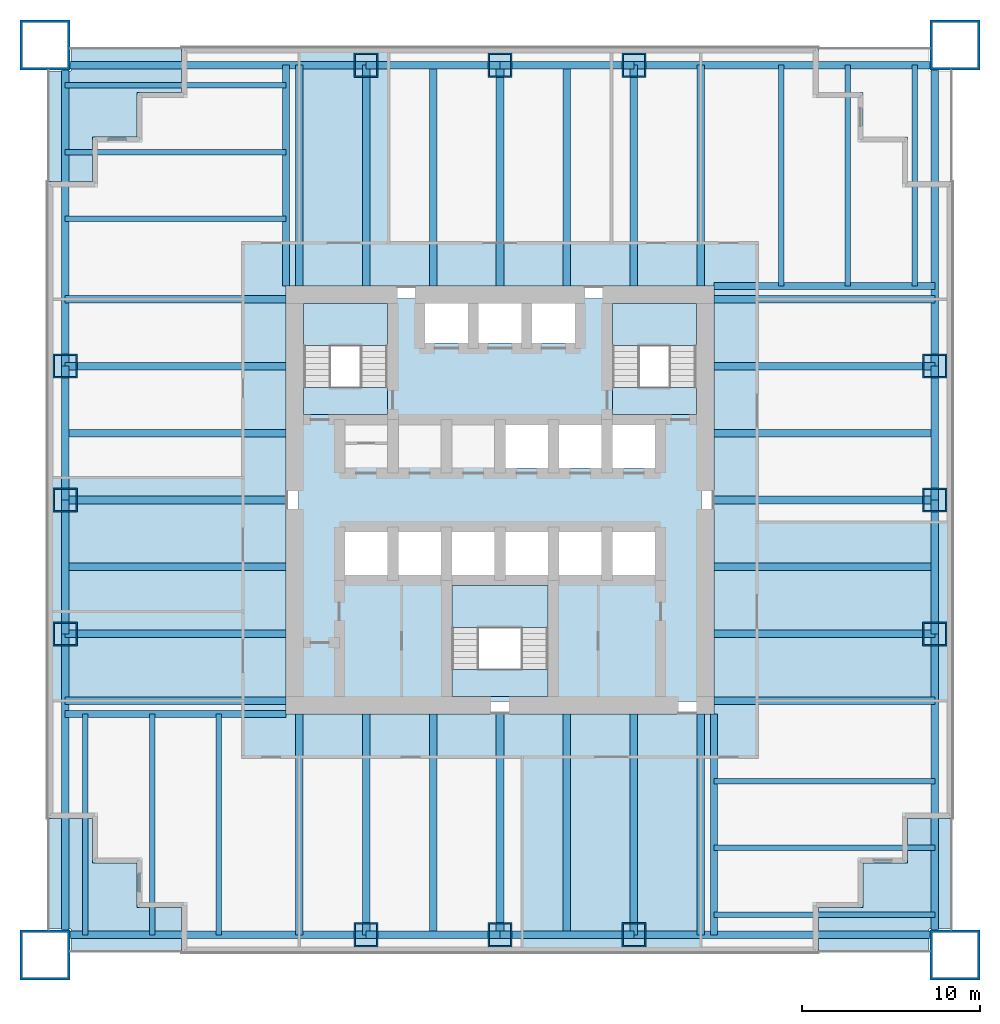
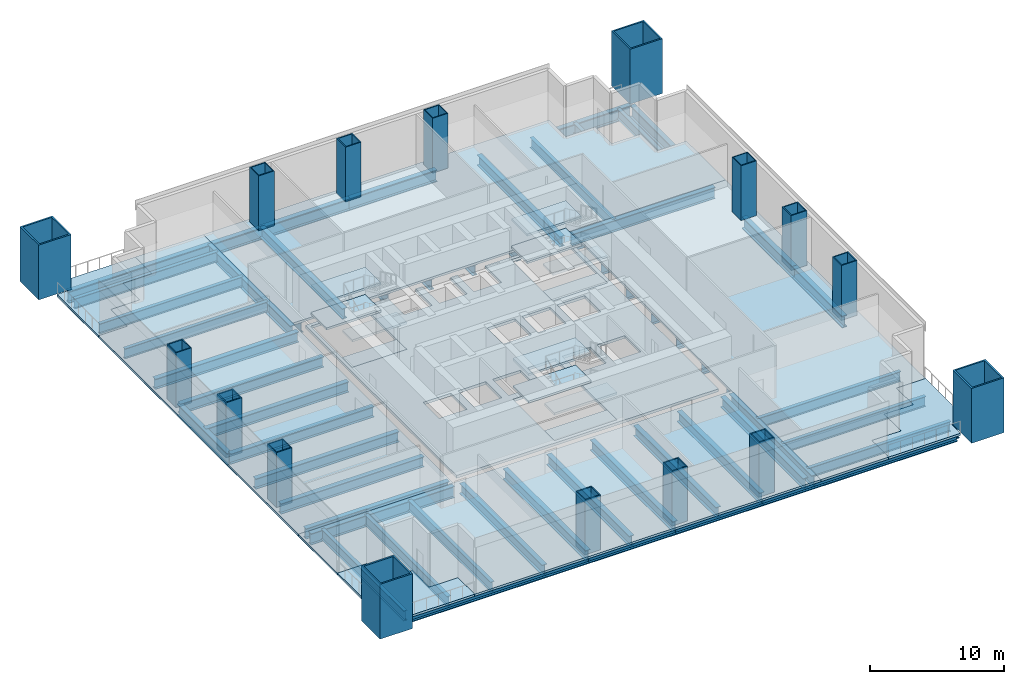
# One storey, part 1 of 6: 60 beams, 20 slabs, 16 columns, 3 elements without a shape of their own.
"""IFC4 building model written with IfcOpenShell, lengths in metres."""

from ifc_helpers import new_model, si_unit, direction, frame, origin, origin_2d, place, context, subcontext, project, spatial, polyline, hollow_rectangle, i_section, outline, extrude, material, layer, layer_set, material_profile, profile_set, type_object, element, aggregate, save


model = new_model("IFC4")

# Units and contexts
model_context = context("Model", 3, precision=1e-05, world=origin(), true_north=direction((0.0, 1.0)))
body_context = subcontext(model_context, "Body", "Model", "MODEL_VIEW")
ifc_project = project(units=[si_unit("LENGTHUNIT", "METRE"), si_unit("AREAUNIT", "SQUARE_METRE"), si_unit("VOLUMEUNIT", "CUBIC_METRE"), si_unit("PLANEANGLEUNIT", "RADIAN"), si_unit("MASSUNIT", "GRAM", prefix="KILO")], contexts=[model_context])

# Site, building, storey
site_placement = place(None, origin())
site = spatial("IfcSite", under=ifc_project, at=site_placement, CompositionType="ELEMENT")
building_placement = place(site_placement, origin())
building = spatial("IfcBuilding", under=site, at=building_placement, Name="Tarangal Relay Tower", CompositionType="ELEMENT")
storey_placement = place(building_placement, frame((0.0, 0.0, 68.39990234375)))
storey = spatial("IfcBuildingStorey", under=building, at=storey_placement, Name="L13", CompositionType="ELEMENT", Elevation=68.39990234375)

# Columns
ifc_material_1 = material(Name="Steel ASTM A572 Grade 42", Category="steel")
ifc_material_profile_1 = material_profile(ifc_material_1, hollow_rectangle(XDim=2.800048828125, YDim=2.800048828125, WallThickness=0.139892578125, at=origin_2d()), Name="BOX2800X2800X140")
ifc_profile_set_1 = profile_set([ifc_material_profile_1], Name="Steel ASTM A572 Grade 42")
column_type_1 = type_object("IfcColumnType", Name="Mega column BOX2800X2800X140", PredefinedType="COLUMN", material=ifc_profile_set_1)
for number, where, z_axis, x_axis, name in (
    (1, (25.5, 25.5, 0.0), (0.0, 0.0, 1.0), (1.0, 0.0, 0.0), "Mega column MC1 NE L13"),
    (2, (25.5, -25.5, 0.0), (0.0, 0.0, 1.0), (1.0, 0.0, 0.0), "Mega column MC1 SE L13"),
    (3, (-25.5, -25.5, 0.0), (0.0, 0.0, 1.0), (1.0, 0.0, 0.0), "Mega column MC1 SW L13"),
    (4, (-25.5, 25.5, 0.0), (0.0, 0.0, 1.0), (1.0, 0.0, 0.0), "Mega column MC1 NW L13"),
):
    element("IfcColumn", number, at=place(storey_placement, frame(where, z_axis=z_axis, x_axis=x_axis)), inside=storey, type_object=column_type_1, Name=name, PredefinedType="COLUMN", context=body_context, shape_type="SweptSolid", body=[
        extrude(hollow_rectangle(XDim=2.800048828125, YDim=2.800048828125, WallThickness=0.139892578125, at=origin_2d()), origin(), (0.0, 0.0, 1.0), 5.0),
    ])
ifc_material_2 = material(Name="Steel ASTM A572 Grade 50", Category="steel")
ifc_material_profile_2 = material_profile(ifc_material_2, hollow_rectangle(XDim=1.35009765625, YDim=1.35009765625, WallThickness=0.0849609375, at=origin_2d()), Name="BOX1350X1350X85")
ifc_profile_set_2 = profile_set([ifc_material_profile_2], Name="Steel ASTM A572 Grade 50")
column_type_2 = type_object("IfcColumnType", Name="Perimeter column BOX1350X1350X85", PredefinedType="COLUMN", material=ifc_profile_set_2)
for number, where, z_axis, x_axis, name in (
    (5, (-7.5, 24.364990234375, 0.0), (0.0, 0.0, 1.0), (1.0, 0.0, 0.0), "Perimeter column PC2 N L13"),
    (6, (0.0, 24.364990234375, 0.0), (0.0, 0.0, 1.0), (1.0, 0.0, 0.0), "Perimeter column PC2 N L13"),
    (7, (7.5, 24.364990234375, 0.0), (0.0, 0.0, 1.0), (1.0, 0.0, 0.0), "Perimeter column PC2 N L13"),
    (8, (24.364990234375, 7.5, 0.0), (0.0, 0.0, 1.0), (1.0, 0.0, 0.0), "Perimeter column PC2 E L13"),
    (9, (24.364990234375, 0.0, 0.0), (0.0, 0.0, 1.0), (1.0, 0.0, 0.0), "Perimeter column PC2 E L13"),
    (10, (24.364990234375, -7.5, 0.0), (0.0, 0.0, 1.0), (1.0, 0.0, 0.0), "Perimeter column PC2 E L13"),
    (11, (7.5, -24.364990234375, 0.0), (0.0, 0.0, 1.0), (1.0, 0.0, 0.0), "Perimeter column PC2 S L13"),
    (12, (0.0, -24.364990234375, 0.0), (0.0, 0.0, 1.0), (1.0, 0.0, 0.0), "Perimeter column PC2 S L13"),
    (13, (-7.5, -24.364990234375, 0.0), (0.0, 0.0, 1.0), (1.0, 0.0, 0.0), "Perimeter column PC2 S L13"),
    (14, (-24.364990234375, -7.5, 0.0), (0.0, 0.0, 1.0), (1.0, 0.0, 0.0), "Perimeter column PC2 W L13"),
    (15, (-24.364990234375, 0.0, 0.0), (0.0, 0.0, 1.0), (1.0, 0.0, 0.0), "Perimeter column PC2 W L13"),
    (16, (-24.364990234375, 7.5, 0.0), (0.0, 0.0, 1.0), (1.0, 0.0, 0.0), "Perimeter column PC2 W L13"),
):
    element("IfcColumn", number, at=place(storey_placement, frame(where, z_axis=z_axis, x_axis=x_axis)), inside=storey, type_object=column_type_2, Name=name, PredefinedType="COLUMN", context=body_context, shape_type="SweptSolid", body=[
        extrude(hollow_rectangle(XDim=1.35009765625, YDim=1.35009765625, WallThickness=0.0849609375, at=origin_2d()), origin(), (0.0, 0.0, 1.0), 5.0),
    ])

# Beams
ifc_material_3 = material(Name="Steel ASTM A992", Category="steel")
ifc_material_profile_3 = material_profile(ifc_material_3, i_section(OverallWidth=0.307373046875, OverallDepth=0.927001953125, WebThickness=0.019287109375, FlangeThickness=0.031982421875, at=origin_2d()), Name="W36X194")
ifc_profile_set_3 = profile_set([ifc_material_profile_3], Name="Steel ASTM A992")
beam_type_1 = type_object("IfcBeamType", Name="Corner beam W36X194", PredefinedType="JOIST", material=ifc_profile_set_3)
for number, where, z_axis, x_axis, name in (
    (17, (15.75, 12.0, -0.663330078125), (0.0, 1.0, 0.0), (-1.0, 0.0, 0.0), "Corner beam CB10 N L13"),
    (18, (19.5, 12.0, -0.663330078125), (0.0, 1.0, 0.0), (-1.0, 0.0, 0.0), "Corner beam CB10 N L13"),
    (19, (23.25, 12.0, -0.663330078125), (0.0, 1.0, 0.0), (-1.0, 0.0, 0.0), "Corner beam CB10 N L13"),
    (20, (12.0, -15.75, -0.663330078125), (1.0, 0.0, 0.0), (0.0, 1.0, 0.0), "Corner beam CB10 E L13"),
    (21, (12.0, -19.5, -0.663330078125), (1.0, 0.0, 0.0), (0.0, 1.0, 0.0), "Corner beam CB10 E L13"),
    (22, (12.0, -23.25, -0.663330078125), (1.0, 0.0, 0.0), (0.0, 1.0, 0.0), "Corner beam CB10 E L13"),
    (23, (-15.75, -12.0, -0.663330078125), (0.0, -1.0, 0.0), (1.0, 0.0, 0.0), "Corner beam CB10 S L13"),
    (24, (-19.5, -12.0, -0.663330078125), (0.0, -1.0, 0.0), (1.0, 0.0, 0.0), "Corner beam CB10 S L13"),
    (25, (-23.25, -12.0, -0.663330078125), (0.0, -1.0, 0.0), (1.0, 0.0, 0.0), "Corner beam CB10 S L13"),
    (26, (-12.0, 15.75, -0.663330078125), (-1.0, 0.0, 0.0), (0.0, -1.0, 0.0), "Corner beam CB10 W L13"),
    (27, (-12.0, 19.5, -0.663330078125), (-1.0, 0.0, 0.0), (0.0, -1.0, 0.0), "Corner beam CB10 W L13"),
    (28, (-12.0, 23.25, -0.663330078125), (-1.0, 0.0, 0.0), (0.0, -1.0, 0.0), "Corner beam CB10 W L13"),
):
    element("IfcBeam", number, at=place(storey_placement, frame(where, z_axis=z_axis, x_axis=x_axis)), inside=storey, type_object=beam_type_1, Name=name, PredefinedType="JOIST", context=body_context, shape_type="SweptSolid", body=[
        extrude(i_section(OverallWidth=0.307373046875, OverallDepth=0.927001953125, WebThickness=0.019287109375, FlangeThickness=0.031982421875, at=origin_2d()), origin(), (0.0, 0.0, 1.0), 12.364990234375),
    ])
ifc_material_profile_4 = material_profile(ifc_material_3, i_section(OverallWidth=0.40380859375, OverallDepth=1.036376953125, WebThickness=0.031005859375, FlangeThickness=0.0458984375, at=origin_2d()), Name="W40X331")
ifc_profile_set_4 = profile_set([ifc_material_profile_4], Name="Steel ASTM A992")
beam_type_2 = type_object("IfcBeamType", Name="Corner girder W40X331", PredefinedType="BEAM", material=ifc_profile_set_4)
for number, where, z_axis, x_axis, name in (
    (29, (12.0, 12.0, -0.718017578125), (1.0, 0.0, 0.0), (0.0, 1.0, 0.0), "Corner girder CG2 N L13"),
    (30, (12.0, -12.0, -0.718017578125), (0.0, -1.0, 0.0), (1.0, 0.0, 0.0), "Corner girder CG2 E L13"),
    (31, (-12.0, -12.0, -0.718017578125), (-1.0, 0.0, 0.0), (0.0, -1.0, 0.0), "Corner girder CG2 S L13"),
    (32, (-12.0, 12.0, -0.718017578125), (0.0, 1.0, 0.0), (-1.0, 0.0, 0.0), "Corner girder CG2 W L13"),
):
    element("IfcBeam", number, at=place(storey_placement, frame(where, z_axis=z_axis, x_axis=x_axis)), inside=storey, type_object=beam_type_2, Name=name, PredefinedType="BEAM", context=body_context, shape_type="SweptSolid", body=[
        extrude(i_section(OverallWidth=0.40380859375, OverallDepth=1.036376953125, WebThickness=0.031005859375, FlangeThickness=0.0458984375, at=origin_2d()), origin(), (0.0, 0.0, 1.0), 12.364990234375),
    ])
ifc_material_profile_5 = material_profile(ifc_material_3, i_section(OverallWidth=0.42431640625, OverallDepth=1.09228515625, WebThickness=0.04541015625, FlangeThickness=0.08203125, at=origin_2d()), Name="W40X593")
ifc_profile_set_5 = profile_set([ifc_material_profile_5], Name="Steel ASTM A992")
beam_type_3 = type_object("IfcBeamType", Name="Edge girder W40X593", PredefinedType="SPANDREL", material=ifc_profile_set_5)
beam_1_placement = place(storey_placement, frame((-24.25, 24.364990234375, -0.74609375), z_axis=(1.0, 0.0, 0.0), x_axis=(0.0, 1.0, 0.0)))
element("IfcBeam", 33, at=beam_1_placement, inside=storey, type_object=beam_type_3, Name="Edge girder EG9 N L13", PredefinedType="SPANDREL", context=body_context, shape_type="SweptSolid", body=[
    extrude(i_section(OverallWidth=0.42431640625, OverallDepth=1.09228515625, WebThickness=0.04541015625, FlangeThickness=0.08203125, at=origin_2d()), origin(), (0.0, 0.0, 1.0), 16.75),
])
for number, where, z_axis, x_axis, name in (
    (34, (-7.5, 24.364990234375, -0.74609375), (1.0, 0.0, 0.0), (0.0, 1.0, 0.0), "Edge girder EG9 N L13"),
    (35, (0.0, 24.364990234375, -0.74609375), (1.0, 0.0, 0.0), (0.0, 1.0, 0.0), "Edge girder EG9 N L13"),
):
    element("IfcBeam", number, at=place(storey_placement, frame(where, z_axis=z_axis, x_axis=x_axis)), inside=storey, type_object=beam_type_3, Name=name, PredefinedType="SPANDREL", context=body_context, shape_type="SweptSolid", body=[
        extrude(i_section(OverallWidth=0.42431640625, OverallDepth=1.09228515625, WebThickness=0.04541015625, FlangeThickness=0.08203125, at=origin_2d()), origin(), (0.0, 0.0, 1.0), 7.5),
    ])
for number, where, z_axis, x_axis, name in (
    (36, (7.5, 24.364990234375, -0.74609375), (1.0, 0.0, 0.0), (0.0, 1.0, 0.0), "Edge girder EG9 N L13"),
    (37, (24.364990234375, 24.25, -0.74609375), (0.0, -1.0, 0.0), (1.0, 0.0, 0.0), "Edge girder EG9 E L13"),
):
    element("IfcBeam", number, at=place(storey_placement, frame(where, z_axis=z_axis, x_axis=x_axis)), inside=storey, type_object=beam_type_3, Name=name, PredefinedType="SPANDREL", context=body_context, shape_type="SweptSolid", body=[
        extrude(i_section(OverallWidth=0.42431640625, OverallDepth=1.09228515625, WebThickness=0.04541015625, FlangeThickness=0.08203125, at=origin_2d()), origin(), (0.0, 0.0, 1.0), 16.75),
    ])
for number, where, z_axis, x_axis, name in (
    (38, (24.364990234375, 7.5, -0.74609375), (0.0, -1.0, 0.0), (1.0, 0.0, 0.0), "Edge girder EG9 E L13"),
    (39, (24.364990234375, 0.0, -0.74609375), (0.0, -1.0, 0.0), (1.0, 0.0, 0.0), "Edge girder EG9 E L13"),
):
    element("IfcBeam", number, at=place(storey_placement, frame(where, z_axis=z_axis, x_axis=x_axis)), inside=storey, type_object=beam_type_3, Name=name, PredefinedType="SPANDREL", context=body_context, shape_type="SweptSolid", body=[
        extrude(i_section(OverallWidth=0.42431640625, OverallDepth=1.09228515625, WebThickness=0.04541015625, FlangeThickness=0.08203125, at=origin_2d()), origin(), (0.0, 0.0, 1.0), 7.5),
    ])
for number, where, z_axis, x_axis, name in (
    (40, (24.364990234375, -7.5, -0.74609375), (0.0, -1.0, 0.0), (1.0, 0.0, 0.0), "Edge girder EG9 E L13"),
    (41, (24.25, -24.364990234375, -0.74609375), (-1.0, 0.0, 0.0), (0.0, -1.0, 0.0), "Edge girder EG9 S L13"),
):
    element("IfcBeam", number, at=place(storey_placement, frame(where, z_axis=z_axis, x_axis=x_axis)), inside=storey, type_object=beam_type_3, Name=name, PredefinedType="SPANDREL", context=body_context, shape_type="SweptSolid", body=[
        extrude(i_section(OverallWidth=0.42431640625, OverallDepth=1.09228515625, WebThickness=0.04541015625, FlangeThickness=0.08203125, at=origin_2d()), origin(), (0.0, 0.0, 1.0), 16.75),
    ])
for number, where, z_axis, x_axis, name in (
    (42, (7.5, -24.364990234375, -0.74609375), (-1.0, 0.0, 0.0), (0.0, -1.0, 0.0), "Edge girder EG9 S L13"),
    (43, (0.0, -24.364990234375, -0.74609375), (-1.0, 0.0, 0.0), (0.0, -1.0, 0.0), "Edge girder EG9 S L13"),
):
    element("IfcBeam", number, at=place(storey_placement, frame(where, z_axis=z_axis, x_axis=x_axis)), inside=storey, type_object=beam_type_3, Name=name, PredefinedType="SPANDREL", context=body_context, shape_type="SweptSolid", body=[
        extrude(i_section(OverallWidth=0.42431640625, OverallDepth=1.09228515625, WebThickness=0.04541015625, FlangeThickness=0.08203125, at=origin_2d()), origin(), (0.0, 0.0, 1.0), 7.5),
    ])
for number, where, z_axis, x_axis, name in (
    (44, (-7.5, -24.364990234375, -0.74609375), (-1.0, 0.0, 0.0), (0.0, -1.0, 0.0), "Edge girder EG9 S L13"),
    (45, (-24.364990234375, -24.25, -0.74609375), (0.0, 1.0, 0.0), (-1.0, 0.0, 0.0), "Edge girder EG9 W L13"),
):
    element("IfcBeam", number, at=place(storey_placement, frame(where, z_axis=z_axis, x_axis=x_axis)), inside=storey, type_object=beam_type_3, Name=name, PredefinedType="SPANDREL", context=body_context, shape_type="SweptSolid", body=[
        extrude(i_section(OverallWidth=0.42431640625, OverallDepth=1.09228515625, WebThickness=0.04541015625, FlangeThickness=0.08203125, at=origin_2d()), origin(), (0.0, 0.0, 1.0), 16.75),
    ])
for number, where, z_axis, x_axis, name in (
    (46, (-24.364990234375, -7.5, -0.74609375), (0.0, 1.0, 0.0), (-1.0, 0.0, 0.0), "Edge girder EG9 W L13"),
    (47, (-24.364990234375, 0.0, -0.74609375), (0.0, 1.0, 0.0), (-1.0, 0.0, 0.0), "Edge girder EG9 W L13"),
):
    element("IfcBeam", number, at=place(storey_placement, frame(where, z_axis=z_axis, x_axis=x_axis)), inside=storey, type_object=beam_type_3, Name=name, PredefinedType="SPANDREL", context=body_context, shape_type="SweptSolid", body=[
        extrude(i_section(OverallWidth=0.42431640625, OverallDepth=1.09228515625, WebThickness=0.04541015625, FlangeThickness=0.08203125, at=origin_2d()), origin(), (0.0, 0.0, 1.0), 7.5),
    ])
beam_2_placement = place(storey_placement, frame((-24.364990234375, 7.5, -0.74609375), z_axis=(0.0, 1.0, 0.0), x_axis=(-1.0, 0.0, 0.0)))
element("IfcBeam", 48, at=beam_2_placement, inside=storey, type_object=beam_type_3, Name="Edge girder EG9 W L13", PredefinedType="SPANDREL", context=body_context, shape_type="SweptSolid", body=[
    extrude(i_section(OverallWidth=0.42431640625, OverallDepth=1.09228515625, WebThickness=0.04541015625, FlangeThickness=0.08203125, at=origin_2d()), origin(), (0.0, 0.0, 1.0), 16.75),
])
ifc_material_profile_6 = material_profile(ifc_material_3, i_section(OverallWidth=0.42431640625, OverallDepth=0.947509765625, WebThickness=0.02392578125, FlangeThickness=0.042724609375, at=origin_2d()), Name="W36X302")
ifc_profile_set_6 = profile_set([ifc_material_profile_6], Name="Steel ASTM A992")
beam_type_4 = type_object("IfcBeamType", Name="Floor beam W36X302", PredefinedType="BEAM", material=ifc_profile_set_6)
for number, where, z_axis, x_axis, name in (
    (49, (-11.25, 12.0, -0.673583984375), (0.0, 1.0, 0.0), (-1.0, 0.0, 0.0), "Floor beam RB10 N L13"),
    (50, (-7.5, 12.0, -0.673583984375), (0.0, 1.0, 0.0), (-1.0, 0.0, 0.0), "Floor beam RB10 N L13"),
    (51, (-3.75, 12.0, -0.673583984375), (0.0, 1.0, 0.0), (-1.0, 0.0, 0.0), "Floor beam RB10 N L13"),
    (52, (0.0, 12.0, -0.673583984375), (0.0, 1.0, 0.0), (-1.0, 0.0, 0.0), "Floor beam RB10 N L13"),
    (53, (3.75, 12.0, -0.673583984375), (0.0, 1.0, 0.0), (-1.0, 0.0, 0.0), "Floor beam RB10 N L13"),
    (54, (7.5, 12.0, -0.673583984375), (0.0, 1.0, 0.0), (-1.0, 0.0, 0.0), "Floor beam RB10 N L13"),
    (55, (11.25, 12.0, -0.673583984375), (0.0, 1.0, 0.0), (-1.0, 0.0, 0.0), "Floor beam RB10 N L13"),
    (56, (12.0, 11.25, -0.673583984375), (1.0, 0.0, 0.0), (0.0, 1.0, 0.0), "Floor beam RB10 E L13"),
    (57, (12.0, 7.5, -0.673583984375), (1.0, 0.0, 0.0), (0.0, 1.0, 0.0), "Floor beam RB10 E L13"),
    (58, (12.0, 3.75, -0.673583984375), (1.0, 0.0, 0.0), (0.0, 1.0, 0.0), "Floor beam RB10 E L13"),
    (59, (12.0, 0.0, -0.673583984375), (1.0, 0.0, 0.0), (0.0, 1.0, 0.0), "Floor beam RB10 E L13"),
    (60, (12.0, -3.75, -0.673583984375), (1.0, 0.0, 0.0), (0.0, 1.0, 0.0), "Floor beam RB10 E L13"),
    (61, (12.0, -7.5, -0.673583984375), (1.0, 0.0, 0.0), (0.0, 1.0, 0.0), "Floor beam RB10 E L13"),
    (62, (12.0, -11.25, -0.673583984375), (1.0, 0.0, 0.0), (0.0, 1.0, 0.0), "Floor beam RB10 E L13"),
    (63, (11.25, -12.0, -0.673583984375), (0.0, -1.0, 0.0), (1.0, 0.0, 0.0), "Floor beam RB10 S L13"),
    (64, (7.5, -12.0, -0.673583984375), (0.0, -1.0, 0.0), (1.0, 0.0, 0.0), "Floor beam RB10 S L13"),
    (65, (3.75, -12.0, -0.673583984375), (0.0, -1.0, 0.0), (1.0, 0.0, 0.0), "Floor beam RB10 S L13"),
    (66, (0.0, -12.0, -0.673583984375), (0.0, -1.0, 0.0), (1.0, 0.0, 0.0), "Floor beam RB10 S L13"),
    (67, (-3.75, -12.0, -0.673583984375), (0.0, -1.0, 0.0), (1.0, 0.0, 0.0), "Floor beam RB10 S L13"),
    (68, (-7.5, -12.0, -0.673583984375), (0.0, -1.0, 0.0), (1.0, 0.0, 0.0), "Floor beam RB10 S L13"),
    (69, (-11.25, -12.0, -0.673583984375), (0.0, -1.0, 0.0), (1.0, 0.0, 0.0), "Floor beam RB10 S L13"),
    (70, (-12.0, -11.25, -0.673583984375), (-1.0, 0.0, 0.0), (0.0, -1.0, 0.0), "Floor beam RB10 W L13"),
    (71, (-12.0, -7.5, -0.673583984375), (-1.0, 0.0, 0.0), (0.0, -1.0, 0.0), "Floor beam RB10 W L13"),
    (72, (-12.0, -3.75, -0.673583984375), (-1.0, 0.0, 0.0), (0.0, -1.0, 0.0), "Floor beam RB10 W L13"),
    (73, (-12.0, 0.0, -0.673583984375), (-1.0, 0.0, 0.0), (0.0, -1.0, 0.0), "Floor beam RB10 W L13"),
    (74, (-12.0, 3.75, -0.673583984375), (-1.0, 0.0, 0.0), (0.0, -1.0, 0.0), "Floor beam RB10 W L13"),
    (75, (-12.0, 7.5, -0.673583984375), (-1.0, 0.0, 0.0), (0.0, -1.0, 0.0), "Floor beam RB10 W L13"),
    (76, (-12.0, 11.25, -0.673583984375), (-1.0, 0.0, 0.0), (0.0, -1.0, 0.0), "Floor beam RB10 W L13"),
):
    element("IfcBeam", number, at=place(storey_placement, frame(where, z_axis=z_axis, x_axis=x_axis)), inside=storey, type_object=beam_type_4, Name=name, PredefinedType="BEAM", context=body_context, shape_type="SweptSolid", body=[
        extrude(i_section(OverallWidth=0.42431640625, OverallDepth=0.947509765625, WebThickness=0.02392578125, FlangeThickness=0.042724609375, at=origin_2d()), origin(), (0.0, 0.0, 1.0), 12.364990234375),
    ])

# Slabs
ifc_material_4 = material(Name="Concrete fc' 35 MPa", Category="concrete")
ifc_layer_1 = layer(ifc_material_4, 0.25)
ifc_layer_set_1 = layer_set([ifc_layer_1], Name="Core floor slab 250")
slab_type_1 = type_object("IfcSlabType", Name="Core floor slab 250", PredefinedType="FLOOR", material=ifc_layer_set_1)
slab_1_placement = place(storey_placement, frame((0.0, 0.0, -0.25)))
element("IfcSlab", 77, at=slab_1_placement, inside=storey, type_object=slab_type_1, Name="Core floor slab L13", PredefinedType="FLOOR", context=body_context, shape_type="SweptSolid", body=[
    extrude(outline(polyline([(11.300048828125, 11.300048828125), (11.300048828125, -11.300048828125), (-11.300048828125, -11.300048828125), (-11.300048828125, 11.300048828125), (-4.199951171875, 11.300048828125), (-4.199951171875, 8.800048828125), (-1.800048828125, 8.800048828125), (-1.800048828125, 11.300048828125), (-1.199951171875, 11.300048828125), (-1.199951171875, 8.800048828125), (1.199951171875, 8.800048828125), (1.199951171875, 11.300048828125), (1.800048828125, 11.300048828125), (1.800048828125, 8.800048828125), (4.199951171875, 8.800048828125), (4.199951171875, 11.300048828125), (11.300048828125, 11.300048828125)]), holes=[polyline([(2.699951171875, -4.800048828125), (-2.699951171875, -4.800048828125), (-2.699951171875, -11.0), (2.699951171875, -11.0), (2.699951171875, -4.800048828125)]), polyline([(-6.300048828125, -4.199951171875), (-6.300048828125, -1.800048828125), (-8.699951171875, -1.800048828125), (-8.699951171875, -4.199951171875), (-6.300048828125, -4.199951171875)]), polyline([(-3.300048828125, -4.199951171875), (-3.300048828125, -1.800048828125), (-5.699951171875, -1.800048828125), (-5.699951171875, -4.199951171875), (-3.300048828125, -4.199951171875)]), polyline([(-0.300048828125, -4.199951171875), (-0.300048828125, -1.800048828125), (-2.699951171875, -1.800048828125), (-2.699951171875, -4.199951171875), (-0.300048828125, -4.199951171875)]), polyline([(2.699951171875, 1.800048828125), (2.699951171875, 4.199951171875), (0.300048828125, 4.199951171875), (0.300048828125, 1.800048828125), (2.699951171875, 1.800048828125)]), polyline([(-6.300048828125, 4.800048828125), (-6.300048828125, 11.0), (-11.0, 11.0), (-11.0, 4.800048828125), (-6.300048828125, 4.800048828125)]), polyline([(2.699951171875, -4.199951171875), (2.699951171875, -1.800048828125), (0.300048828125, -1.800048828125), (0.300048828125, -4.199951171875), (2.699951171875, -4.199951171875)]), polyline([(5.699951171875, -4.199951171875), (5.699951171875, -1.800048828125), (3.300048828125, -1.800048828125), (3.300048828125, -4.199951171875), (5.699951171875, -4.199951171875)]), polyline([(8.699951171875, -4.199951171875), (8.699951171875, -1.800048828125), (6.300048828125, -1.800048828125), (6.300048828125, -4.199951171875), (8.699951171875, -4.199951171875)]), polyline([(5.699951171875, 1.800048828125), (5.699951171875, 4.199951171875), (3.300048828125, 4.199951171875), (3.300048828125, 1.800048828125), (5.699951171875, 1.800048828125)]), polyline([(8.699951171875, 1.800048828125), (8.699951171875, 4.199951171875), (6.300048828125, 4.199951171875), (6.300048828125, 1.800048828125), (8.699951171875, 1.800048828125)]), polyline([(11.0, 4.800048828125), (11.0, 11.0), (6.300048828125, 11.0), (6.300048828125, 4.800048828125), (11.0, 4.800048828125)])]), origin(), (0.0, 0.0, 1.0), 0.25),
])
ifc_layer_2 = layer(ifc_material_4, 0.199951171875)
ifc_layer_set_2 = layer_set([ifc_layer_2], Name="Floor slab 200")
slab_type_2 = type_object("IfcSlabType", Name="Floor slab 200", PredefinedType="FLOOR", material=ifc_layer_set_2)
slab_2_placement = place(storey_placement, frame((0.0, 0.0, -0.199951171875)))
element("IfcSlab", 78, at=slab_2_placement, inside=storey, type_object=slab_type_2, Name="Floor slab FS2 L13 north bay", PredefinedType="FLOOR", context=body_context, shape_type="SweptSolid", body=[
    extrude(outline(polyline([(17.85009765625, 25.35009765625), (17.85009765625, 22.85009765625), (20.35009765625, 22.85009765625), (20.35009765625, 20.35009765625), (22.85009765625, 20.35009765625), (22.85009765625, 17.85009765625), (25.35009765625, 17.85009765625), (25.35009765625, 12.0), (-12.0, 12.0), (-12.0, 25.35009765625), (17.85009765625, 25.35009765625)])), origin(), (0.0, 0.0, 1.0), 0.199951171875),
])
slab_3_placement = place(storey_placement, frame((0.0, 0.0, -0.199951171875)))
element("IfcSlab", 79, at=slab_3_placement, inside=storey, type_object=slab_type_2, Name="Floor slab FS2 L13 east bay", PredefinedType="FLOOR", context=body_context, shape_type="SweptSolid", body=[
    extrude(outline(polyline([(25.35009765625, -17.85009765625), (22.85009765625, -17.85009765625), (22.85009765625, -20.35009765625), (20.35009765625, -20.35009765625), (20.35009765625, -22.85009765625), (17.85009765625, -22.85009765625), (17.85009765625, -25.35009765625), (12.0, -25.35009765625), (12.0, 12.0), (25.35009765625, 12.0), (25.35009765625, -17.85009765625)])), origin(), (0.0, 0.0, 1.0), 0.199951171875),
])
slab_4_placement = place(storey_placement, frame((0.0, 0.0, -0.199951171875)))
element("IfcSlab", 80, at=slab_4_placement, inside=storey, type_object=slab_type_2, Name="Floor slab FS2 L13 south bay", PredefinedType="FLOOR", context=body_context, shape_type="SweptSolid", body=[
    extrude(outline(polyline([(-17.85009765625, -25.35009765625), (-17.85009765625, -22.85009765625), (-20.35009765625, -22.85009765625), (-20.35009765625, -20.35009765625), (-22.85009765625, -20.35009765625), (-22.85009765625, -17.85009765625), (-25.35009765625, -17.85009765625), (-25.35009765625, -12.0), (12.0, -12.0), (12.0, -25.35009765625), (-17.85009765625, -25.35009765625)])), origin(), (0.0, 0.0, 1.0), 0.199951171875),
])
slab_5_placement = place(storey_placement, frame((0.0, 0.0, -0.199951171875)))
element("IfcSlab", 81, at=slab_5_placement, inside=storey, type_object=slab_type_2, Name="Floor slab FS2 L13 west bay", PredefinedType="FLOOR", context=body_context, shape_type="SweptSolid", body=[
    extrude(outline(polyline([(-12.0, 25.35009765625), (-12.0, -12.0), (-25.35009765625, -12.0), (-25.35009765625, 17.85009765625), (-22.85009765625, 17.85009765625), (-22.85009765625, 20.35009765625), (-20.35009765625, 20.35009765625), (-20.35009765625, 22.85009765625), (-17.85009765625, 22.85009765625), (-17.85009765625, 25.35009765625), (-12.0, 25.35009765625)])), origin(), (0.0, 0.0, 1.0), 0.199951171875),
])

# Stair, slabs
ifc_material_5 = material(Name="Steel ASTM A992 stair flight", Category="steel")
stair_type = type_object("IfcStairType", Name="Core stair 1500", PredefinedType="HALF_TURN_STAIR", material=ifc_material_5)
stair_1_placement = place(storey_placement, origin())
stair_1 = element("IfcStair", 82, at=stair_1_placement, inside=storey, type_object=stair_type, Name="Stair ST-A L13", PredefinedType="HALF_TURN_STAIR")
ifc_layer_3 = layer(ifc_material_4, 0.199951171875)
ifc_layer_set_3 = layer_set([ifc_layer_3], Name="Stair landing 200")
slab_type_3 = type_object("IfcSlabType", Name="Stair landing 200", PredefinedType="LANDING", material=ifc_layer_set_3)
slab_6_placement = place(storey_placement, frame((0.0, 0.0, -0.199951171875)))
slab_6 = element("IfcSlab", 83, at=slab_6_placement, type_object=slab_type_3, Name="ST-A landing 1", PredefinedType="LANDING", context=body_context, shape_type="SweptSolid", body=[
    extrude(outline(polyline([(-11.0, 4.800048828125), (-6.300048828125, 4.800048828125), (-6.300048828125, 6.300048828125), (-11.0, 6.300048828125), (-11.0, 4.800048828125)])), origin(), (0.0, 0.0, 1.0), 0.199951171875),
])
slab_7_placement = place(storey_placement, frame((0.0, 0.0, 1.050048828125)))
slab_7 = element("IfcSlab", 84, at=slab_7_placement, type_object=slab_type_3, Name="ST-A landing 2", PredefinedType="LANDING", context=body_context, shape_type="SweptSolid", body=[
    extrude(outline(polyline([(-11.0, 8.64501953125), (-6.300048828125, 8.64501953125), (-6.300048828125, 11.0), (-11.0, 11.0), (-11.0, 8.64501953125)])), origin(), (0.0, 0.0, 1.0), 0.199951171875),
])
slab_8_placement = place(storey_placement, frame((0.0, 0.0, 2.300048828125)))
slab_8 = element("IfcSlab", 85, at=slab_8_placement, type_object=slab_type_3, Name="ST-A landing 3", PredefinedType="LANDING", context=body_context, shape_type="SweptSolid", body=[
    extrude(outline(polyline([(-11.0, 4.800048828125), (-6.300048828125, 4.800048828125), (-6.300048828125, 6.300048828125), (-11.0, 6.300048828125), (-11.0, 4.800048828125)])), origin(), (0.0, 0.0, 1.0), 0.199951171875),
])
slab_9_placement = place(storey_placement, frame((0.0, 0.0, 3.550048828125)))
slab_9 = element("IfcSlab", 86, at=slab_9_placement, type_object=slab_type_3, Name="ST-A landing 4", PredefinedType="LANDING", context=body_context, shape_type="SweptSolid", body=[
    extrude(outline(polyline([(-11.0, 8.64501953125), (-6.300048828125, 8.64501953125), (-6.300048828125, 11.0), (-11.0, 11.0), (-11.0, 8.64501953125)])), origin(), (0.0, 0.0, 1.0), 0.199951171875),
])
aggregate(stair_1, [slab_6, slab_7, slab_8, slab_9])

stair_2_placement = place(storey_placement, origin())
stair_2 = element("IfcStair", 87, at=stair_2_placement, inside=storey, type_object=stair_type, Name="Stair ST-B L13", PredefinedType="HALF_TURN_STAIR")
slab_10_placement = place(storey_placement, frame((0.0, 0.0, -0.199951171875)))
slab_10 = element("IfcSlab", 88, at=slab_10_placement, type_object=slab_type_3, Name="ST-B landing 1", PredefinedType="LANDING", context=body_context, shape_type="SweptSolid", body=[
    extrude(outline(polyline([(6.300048828125, 4.800048828125), (11.0, 4.800048828125), (11.0, 6.300048828125), (6.300048828125, 6.300048828125), (6.300048828125, 4.800048828125)])), origin(), (0.0, 0.0, 1.0), 0.199951171875),
])
slab_11_placement = place(storey_placement, frame((0.0, 0.0, 1.050048828125)))
slab_11 = element("IfcSlab", 89, at=slab_11_placement, type_object=slab_type_3, Name="ST-B landing 2", PredefinedType="LANDING", context=body_context, shape_type="SweptSolid", body=[
    extrude(outline(polyline([(6.300048828125, 8.64501953125), (11.0, 8.64501953125), (11.0, 11.0), (6.300048828125, 11.0), (6.300048828125, 8.64501953125)])), origin(), (0.0, 0.0, 1.0), 0.199951171875),
])
slab_12_placement = place(storey_placement, frame((0.0, 0.0, 2.300048828125)))
slab_12 = element("IfcSlab", 90, at=slab_12_placement, type_object=slab_type_3, Name="ST-B landing 3", PredefinedType="LANDING", context=body_context, shape_type="SweptSolid", body=[
    extrude(outline(polyline([(6.300048828125, 4.800048828125), (11.0, 4.800048828125), (11.0, 6.300048828125), (6.300048828125, 6.300048828125), (6.300048828125, 4.800048828125)])), origin(), (0.0, 0.0, 1.0), 0.199951171875),
])
slab_13_placement = place(storey_placement, frame((0.0, 0.0, 3.550048828125)))
slab_13 = element("IfcSlab", 91, at=slab_13_placement, type_object=slab_type_3, Name="ST-B landing 4", PredefinedType="LANDING", context=body_context, shape_type="SweptSolid", body=[
    extrude(outline(polyline([(6.300048828125, 8.64501953125), (11.0, 8.64501953125), (11.0, 11.0), (6.300048828125, 11.0), (6.300048828125, 8.64501953125)])), origin(), (0.0, 0.0, 1.0), 0.199951171875),
])
aggregate(stair_2, [slab_10, slab_11, slab_12, slab_13])

stair_3_placement = place(storey_placement, origin())
stair_3 = element("IfcStair", 92, at=stair_3_placement, inside=storey, type_object=stair_type, Name="Stair ST-C L13", PredefinedType="HALF_TURN_STAIR")
slab_14_placement = place(storey_placement, frame((0.0, 0.0, -0.199951171875)))
slab_14 = element("IfcSlab", 93, at=slab_14_placement, type_object=slab_type_3, Name="ST-C landing 1", PredefinedType="LANDING", context=body_context, shape_type="SweptSolid", body=[
    extrude(outline(polyline([(-2.699951171875, -11.0), (2.699951171875, -11.0), (2.699951171875, -9.5), (-2.699951171875, -9.5), (-2.699951171875, -11.0)])), origin(), (0.0, 0.0, 1.0), 0.199951171875),
])
slab_15_placement = place(storey_placement, frame((0.0, 0.0, 1.050048828125)))
slab_15 = element("IfcSlab", 94, at=slab_15_placement, type_object=slab_type_3, Name="ST-C landing 2", PredefinedType="LANDING", context=body_context, shape_type="SweptSolid", body=[
    extrude(outline(polyline([(-2.699951171875, -7.155029296875), (2.699951171875, -7.155029296875), (2.699951171875, -4.800048828125), (-2.699951171875, -4.800048828125), (-2.699951171875, -7.155029296875)])), origin(), (0.0, 0.0, 1.0), 0.199951171875),
])
slab_16_placement = place(storey_placement, frame((0.0, 0.0, 2.300048828125)))
slab_16 = element("IfcSlab", 95, at=slab_16_placement, type_object=slab_type_3, Name="ST-C landing 3", PredefinedType="LANDING", context=body_context, shape_type="SweptSolid", body=[
    extrude(outline(polyline([(-2.699951171875, -11.0), (2.699951171875, -11.0), (2.699951171875, -9.5), (-2.699951171875, -9.5), (-2.699951171875, -11.0)])), origin(), (0.0, 0.0, 1.0), 0.199951171875),
])
slab_17_placement = place(storey_placement, frame((0.0, 0.0, 3.550048828125)))
slab_17 = element("IfcSlab", 96, at=slab_17_placement, type_object=slab_type_3, Name="ST-C landing 4", PredefinedType="LANDING", context=body_context, shape_type="SweptSolid", body=[
    extrude(outline(polyline([(-2.699951171875, -7.155029296875), (2.699951171875, -7.155029296875), (2.699951171875, -4.800048828125), (-2.699951171875, -4.800048828125), (-2.699951171875, -7.155029296875)])), origin(), (0.0, 0.0, 1.0), 0.199951171875),
])
aggregate(stair_3, [slab_14, slab_15, slab_16, slab_17])

# Slabs
ifc_layer_4 = layer(ifc_material_4, 0.199951171875)
ifc_layer_set_4 = layer_set([ifc_layer_4], Name="Terrace slab 200")
slab_type_4 = type_object("IfcSlabType", Name="Terrace slab 200", PredefinedType="FLOOR", material=ifc_layer_set_4)
slab_18_placement = place(storey_placement, frame((0.0, 0.0, -0.199951171875)))
element("IfcSlab", 97, at=slab_18_placement, inside=storey, type_object=slab_type_4, Name="Corner terrace SE L13", PredefinedType="FLOOR", context=body_context, shape_type="SweptSolid", body=[
    extrude(outline(polyline([(25.35009765625, -17.85009765625), (22.85009765625, -17.85009765625), (22.85009765625, -20.35009765625), (20.35009765625, -20.35009765625), (20.35009765625, -22.85009765625), (17.85009765625, -22.85009765625), (17.85009765625, -25.35009765625), (24.050048828125, -25.35009765625), (24.050048828125, -24.050048828125), (25.35009765625, -24.050048828125), (25.35009765625, -17.85009765625)])), origin(), (0.0, 0.0, 1.0), 0.199951171875),
])
slab_19_placement = place(storey_placement, frame((0.0, 0.0, -0.199951171875)))
element("IfcSlab", 98, at=slab_19_placement, inside=storey, type_object=slab_type_4, Name="Corner terrace SW L13", PredefinedType="FLOOR", context=body_context, shape_type="SweptSolid", body=[
    extrude(outline(polyline([(-17.85009765625, -25.35009765625), (-17.85009765625, -22.85009765625), (-20.35009765625, -22.85009765625), (-20.35009765625, -20.35009765625), (-22.85009765625, -20.35009765625), (-22.85009765625, -17.85009765625), (-25.35009765625, -17.85009765625), (-25.35009765625, -24.050048828125), (-24.050048828125, -24.050048828125), (-24.050048828125, -25.35009765625), (-17.85009765625, -25.35009765625)])), origin(), (0.0, 0.0, 1.0), 0.199951171875),
])
slab_20_placement = place(storey_placement, frame((0.0, 0.0, -0.199951171875)))
element("IfcSlab", 99, at=slab_20_placement, inside=storey, type_object=slab_type_4, Name="Corner terrace NW L13", PredefinedType="FLOOR", context=body_context, shape_type="SweptSolid", body=[
    extrude(outline(polyline([(-25.35009765625, 17.85009765625), (-22.85009765625, 17.85009765625), (-22.85009765625, 20.35009765625), (-20.35009765625, 20.35009765625), (-20.35009765625, 22.85009765625), (-17.85009765625, 22.85009765625), (-17.85009765625, 25.35009765625), (-24.050048828125, 25.35009765625), (-24.050048828125, 24.050048828125), (-25.35009765625, 24.050048828125), (-25.35009765625, 17.85009765625)])), origin(), (0.0, 0.0, 1.0), 0.199951171875),
])

save(model, "model.ifc")
